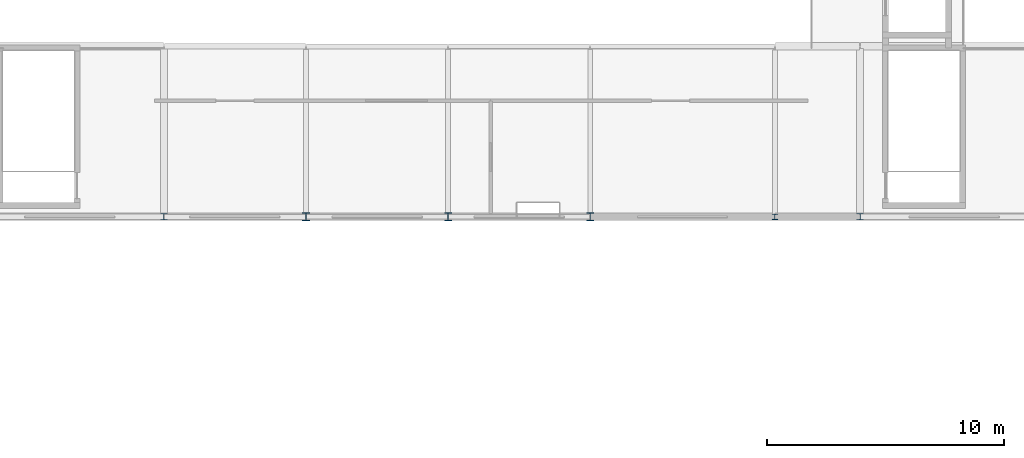
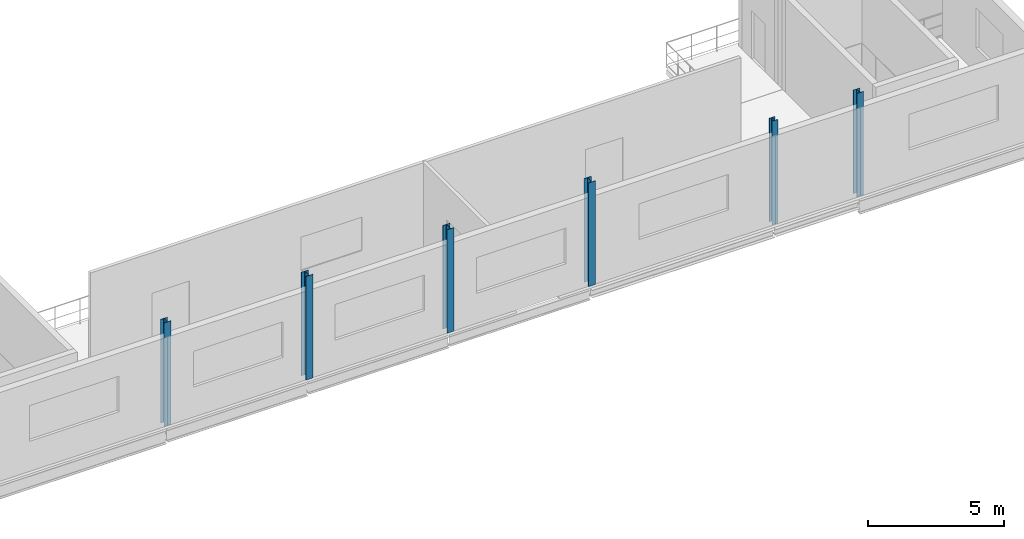
# One storey, part 22 of 121: 6 columns.
"""IFC4 building model written with IfcOpenShell, lengths in metres."""

from ifc_helpers import new_model, si_unit, direction, frame, origin, origin_2d, place, context, subcontext, project, spatial, i_section, extrude, material, material_profile, profile_set, type_object, element, save


model = new_model("IFC4")

# Units and contexts
model_context = context("Model", 3, precision=1e-05, world=origin(), true_north=direction((0.0, 1.0)))
body_context = subcontext(model_context, "Body", "Model", "MODEL_VIEW")
ifc_project = project(units=[si_unit("LENGTHUNIT", "METRE"), si_unit("AREAUNIT", "SQUARE_METRE"), si_unit("VOLUMEUNIT", "CUBIC_METRE"), si_unit("PLANEANGLEUNIT", "RADIAN"), si_unit("MASSUNIT", "GRAM", prefix="KILO")], contexts=[model_context])

# Site, building, storey
site_placement = place(None, origin())
site = spatial("IfcSite", under=ifc_project, at=site_placement, CompositionType="ELEMENT")
building_placement = place(site_placement, origin())
building = spatial("IfcBuilding", under=site, at=building_placement, Name="Vinh Khe Railworks Police Headquarters", CompositionType="ELEMENT")
storey_placement = place(building_placement, frame((0.0, 0.0, 4.800048828125)))
storey = spatial("IfcBuildingStorey", under=building, at=storey_placement, Name="L01", CompositionType="ELEMENT", Elevation=4.800048828125)

# Columns
ifc_material = material(Name="Steel S355JR", Category="steel")
ifc_material_profile_1 = material_profile(ifc_material, i_section(OverallWidth=0.239990234375, OverallDepth=0.22998046875, WebThickness=0.007568359375, FlangeThickness=0.011962890625, FilletRadius=0.02099609375, at=origin_2d()), Name="HEA 240")
ifc_profile_set_1 = profile_set([ifc_material_profile_1], Name="Steel S355JR")
column_type_1 = type_object("IfcColumnType", Name="Steel Column HEA 240", PredefinedType="COLUMN", material=ifc_profile_set_1)
column_1_placement = place(storey_placement, frame((60.0, 138.0, 0.0), z_axis=(0.0, 0.0, 1.0), x_axis=(1.0, 0.0, 0.0)))
element("IfcColumn", 1, at=column_1_placement, inside=storey, type_object=column_type_1, Name="Column COL-L01-SC-20-1060", PredefinedType="COLUMN", context=body_context, shape_type="SweptSolid", body=[
    extrude(i_section(OverallWidth=0.239990234375, OverallDepth=0.22998046875, WebThickness=0.007568359375, FlangeThickness=0.011962890625, FilletRadius=0.02099609375, at=origin_2d()), origin(), (0.0, 0.0, 1.0), 4.64990234375),
])
ifc_material_profile_2 = material_profile(ifc_material, i_section(OverallWidth=0.280029296875, OverallDepth=0.27001953125, WebThickness=0.008056640625, FlangeThickness=0.012939453125, FilletRadius=0.02392578125, at=origin_2d()), Name="HEA 280")
ifc_profile_set_2 = profile_set([ifc_material_profile_2], Name="Steel S355JR")
column_type_2 = type_object("IfcColumnType", Name="Steel Column HEA 280", PredefinedType="COLUMN", material=ifc_profile_set_2)
for number, where, z_axis, x_axis, name in (
    (2, (34.199951171875, 138.0, 0.0), (0.0, 0.0, 1.0), (1.0, 0.0, 0.0), "Column COL-L01-SC-19-0817"),
    (3, (63.60009765625, 138.0, 0.0), (0.0, 0.0, 1.0), (1.0, 0.0, 0.0), "Column COL-L01-SC-19-1133"),
):
    element("IfcColumn", number, at=place(storey_placement, frame(where, z_axis=z_axis, x_axis=x_axis)), inside=storey, type_object=column_type_2, Name=name, PredefinedType="COLUMN", context=body_context, shape_type="SweptSolid", body=[
        extrude(i_section(OverallWidth=0.280029296875, OverallDepth=0.27001953125, WebThickness=0.008056640625, FlangeThickness=0.012939453125, FilletRadius=0.02392578125, at=origin_2d()), origin(), (0.0, 0.0, 1.0), 4.64990234375),
    ])
ifc_material_profile_3 = material_profile(ifc_material, i_section(OverallWidth=0.300048828125, OverallDepth=0.330078125, WebThickness=0.009521484375, FlangeThickness=0.0166015625, FilletRadius=0.027099609375, at=origin_2d()), Name="HEA 340")
ifc_profile_set_3 = profile_set([ifc_material_profile_3], Name="Steel S355JR")
column_type_3 = type_object("IfcColumnType", Name="Steel Column HEA 340", PredefinedType="COLUMN", material=ifc_profile_set_3)
column_2_placement = place(storey_placement, frame((46.199951171875, 138.0, 0.0), z_axis=(0.0, 0.0, 1.0), x_axis=(1.0, 0.0, 0.0)))
element("IfcColumn", 4, at=column_2_placement, inside=storey, type_object=column_type_3, Name="Column COL-L01-SC-17-0935", PredefinedType="COLUMN", context=body_context, shape_type="SweptSolid", body=[
    extrude(i_section(OverallWidth=0.300048828125, OverallDepth=0.330078125, WebThickness=0.009521484375, FlangeThickness=0.0166015625, FilletRadius=0.027099609375, at=origin_2d()), origin(), (0.0, 0.0, 1.0), 4.64990234375),
])
ifc_material_profile_4 = material_profile(ifc_material, i_section(OverallWidth=0.300048828125, OverallDepth=0.340087890625, WebThickness=0.011962890625, FlangeThickness=0.021484375, FilletRadius=0.027099609375, at=origin_2d()), Name="HEB 340")
ifc_profile_set_4 = profile_set([ifc_material_profile_4], Name="Steel S355JR")
column_type_4 = type_object("IfcColumnType", Name="Steel Column HEB 340", PredefinedType="COLUMN", material=ifc_profile_set_4)
for number, where, z_axis, x_axis, name in (
    (5, (40.199951171875, 138.0, 0.0), (0.0, 0.0, 1.0), (1.0, 0.0, 0.0), "Column COL-L01-SC-10-0874"),
    (6, (52.199951171875, 138.0, 0.0), (0.0, 0.0, 1.0), (1.0, 0.0, 0.0), "Column COL-L01-SC-10-0988"),
):
    element("IfcColumn", number, at=place(storey_placement, frame(where, z_axis=z_axis, x_axis=x_axis)), inside=storey, type_object=column_type_4, Name=name, PredefinedType="COLUMN", context=body_context, shape_type="SweptSolid", body=[
        extrude(i_section(OverallWidth=0.300048828125, OverallDepth=0.340087890625, WebThickness=0.011962890625, FlangeThickness=0.021484375, FilletRadius=0.027099609375, at=origin_2d()), origin(), (0.0, 0.0, 1.0), 4.64990234375),
    ])

save(model, "model.ifc")
